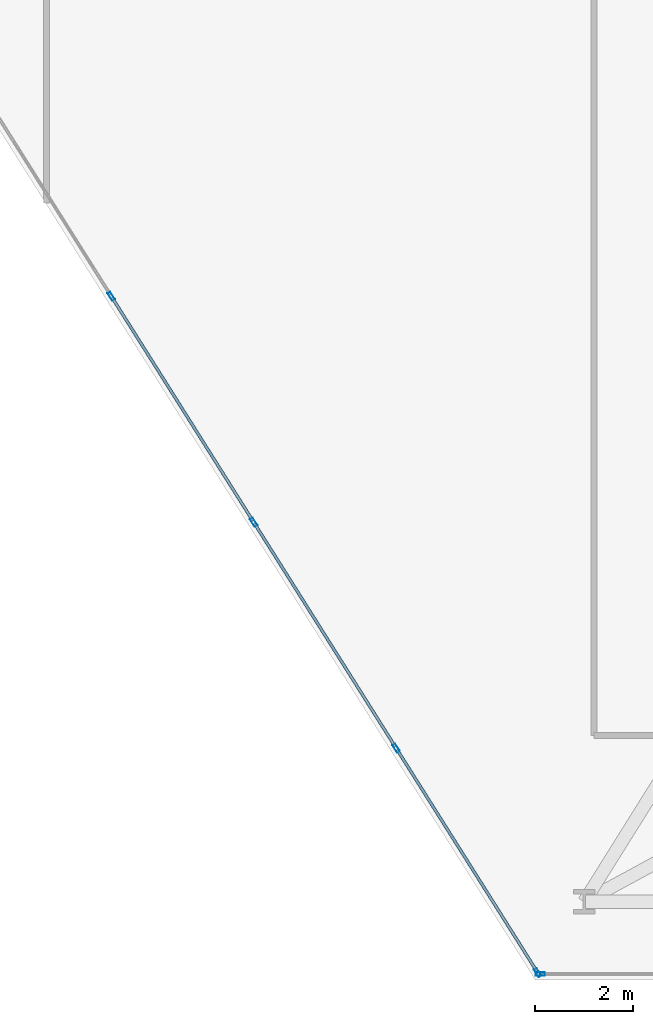
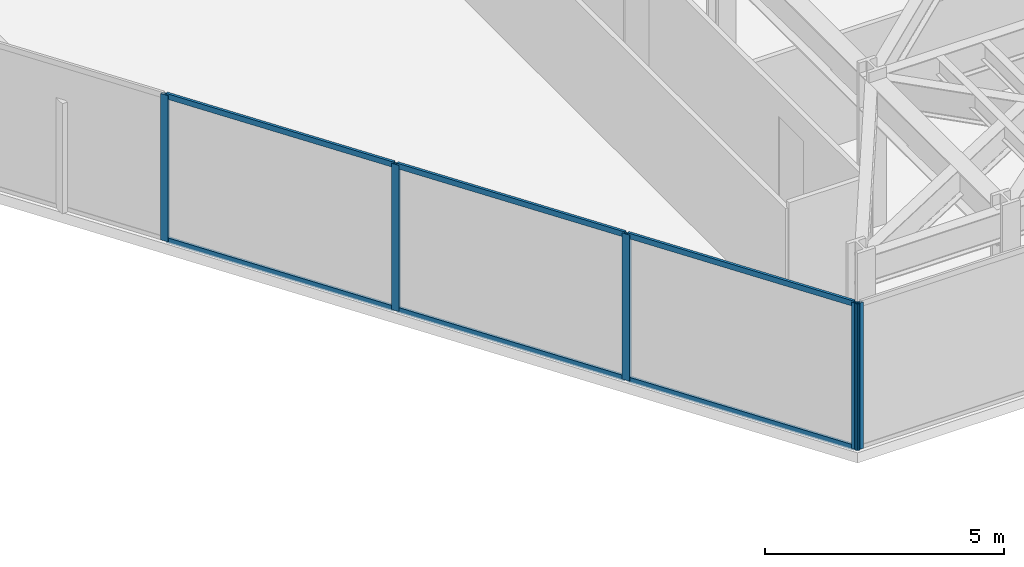
# One storey, part 12 of 24: 11 members, 2 elements without a shape of their own.
"""IFC4 building model written with IfcOpenShell, lengths in metres."""

from ifc_helpers import new_model, si_unit, direction, frame, origin, origin_2d, place, context, subcontext, project, spatial, hollow_rectangle, extrude, material, layer, layer_set, material_profile, profile_set, type_object, element, aggregate, save


model = new_model("IFC4")

# Units and contexts
model_context = context("Model", 3, precision=1e-05, world=origin(), true_north=direction((0.0, 1.0)))
body_context = subcontext(model_context, "Body", "Model", "MODEL_VIEW")
ifc_project = project(units=[si_unit("LENGTHUNIT", "METRE"), si_unit("AREAUNIT", "SQUARE_METRE"), si_unit("VOLUMEUNIT", "CUBIC_METRE"), si_unit("PLANEANGLEUNIT", "RADIAN"), si_unit("MASSUNIT", "GRAM", prefix="KILO")], contexts=[model_context])

# Site, building, storey
site_placement = place(None, origin())
site = spatial("IfcSite", under=ifc_project, at=site_placement, CompositionType="ELEMENT")
building_placement = place(site_placement, origin())
building = spatial("IfcBuilding", under=site, at=building_placement, Name="Kravanh Interchange Tower", CompositionType="ELEMENT")
storey_placement = place(building_placement, frame((0.0, 0.0, 77.5)))
storey = spatial("IfcBuildingStorey", under=building, at=storey_placement, Name="L18", CompositionType="ELEMENT", Elevation=77.5)

# Curtain wall, member
ifc_material_1 = material(Name="Anodised Bronze Aluminium", Category="aluminium")
ifc_layer = layer(ifc_material_1, 0.179931640625)
ifc_layer_set = layer_set([ifc_layer], Name="Unitised Curtain Wall System CW-Z1 Lower Office")
curtain_wall_type = type_object("IfcCurtainWallType", Name="Unitised Curtain Wall System CW-Z1 Lower Office", PredefinedType="NOTDEFINED", material=ifc_layer_set)
curtain_wall_1_placement = place(storey_placement, origin())
curtain_wall_1 = element("IfcCurtainWall", 1, at=curtain_wall_1_placement, inside=storey, type_object=curtain_wall_type, Name="L18 Unitised Curtain Wall CW-L18-03", PredefinedType="NOTDEFINED")
ifc_material_2 = material(Name="Anodised Bronze Aluminium", Category="aluminium")
ifc_material_profile_1 = material_profile(ifc_material_2, hollow_rectangle(XDim=0.070068359375, YDim=0.179931640625, WallThickness=0.00390625, at=origin_2d()), Name="ALU70X180X4")
ifc_profile_set_1 = profile_set([ifc_material_profile_1], Name="Anodised Bronze Aluminium")
member_type_1 = type_object("IfcMemberType", Name="Curtain Wall Mullion ALU70X180X4 Bronze", PredefinedType="MULLION", material=ifc_profile_set_1)
member_1_placement = place(storey_placement, frame((51.601318359375, 1.1201171875, 0.0), z_axis=(0.0, 0.0, 1.0), x_axis=(0.0, -1.0, 0.0)))
member_1 = element("IfcMember", 2, at=member_1_placement, type_object=member_type_1, Name="CW-Z1 mullion 3", PredefinedType="MULLION", context=body_context, shape_type="SweptSolid", body=[
    extrude(hollow_rectangle(XDim=0.070068359375, YDim=0.179931640625, WallThickness=0.00390625, at=origin_2d()), origin(), (0.0, 0.0, 1.0), 3.739990234375),
])
aggregate(curtain_wall_1, [member_1])

# Curtain wall, members
curtain_wall_2_placement = place(storey_placement, origin())
curtain_wall_2 = element("IfcCurtainWall", 3, at=curtain_wall_2_placement, inside=storey, type_object=curtain_wall_type, Name="L18 Unitised Curtain Wall CW-L18-04", PredefinedType="NOTDEFINED")
member_2_placement = place(storey_placement, frame((51.547607421875, 1.149658203125, 0.0), z_axis=(0.0, 0.0, 1.0), x_axis=(-0.845925530786, -0.53330103728, 0.0)))
member_2 = element("IfcMember", 4, at=member_2_placement, type_object=member_type_1, Name="CW-Z1 mullion 1", PredefinedType="MULLION", context=body_context, shape_type="SweptSolid", body=[
    extrude(hollow_rectangle(XDim=0.070068359375, YDim=0.179931640625, WallThickness=0.00390625, at=origin_2d()), origin(), (0.0, 0.0, 1.0), 3.739990234375),
])
member_3_placement = place(storey_placement, frame((48.653076171875, 5.740966796875, 0.0), z_axis=(0.0, 0.0, 1.0), x_axis=(-0.845925530786, -0.53330103728, 0.0)))
member_3 = element("IfcMember", 5, at=member_3_placement, type_object=member_type_1, Name="CW-Z1 mullion 2", PredefinedType="MULLION", context=body_context, shape_type="SweptSolid", body=[
    extrude(hollow_rectangle(XDim=0.070068359375, YDim=0.179931640625, WallThickness=0.00390625, at=origin_2d()), origin(), (0.0, 0.0, 1.0), 3.739990234375),
])
member_4_placement = place(storey_placement, frame((45.73974609375, 10.362060546875, 0.0), z_axis=(0.0, 0.0, 1.0), x_axis=(-0.845925530786, -0.53330103728, 0.0)))
member_4 = element("IfcMember", 6, at=member_4_placement, type_object=member_type_1, Name="CW-Z1 mullion 3", PredefinedType="MULLION", context=body_context, shape_type="SweptSolid", body=[
    extrude(hollow_rectangle(XDim=0.070068359375, YDim=0.179931640625, WallThickness=0.00390625, at=origin_2d()), origin(), (0.0, 0.0, 1.0), 3.739990234375),
])
member_5_placement = place(storey_placement, frame((42.826416015625, 14.98291015625, 0.0), z_axis=(0.0, 0.0, 1.0), x_axis=(-0.845925530786, -0.53330103728, 0.0)))
member_5 = element("IfcMember", 7, at=member_5_placement, type_object=member_type_1, Name="CW-Z1 mullion 4", PredefinedType="MULLION", context=body_context, shape_type="SweptSolid", body=[
    extrude(hollow_rectangle(XDim=0.070068359375, YDim=0.179931640625, WallThickness=0.00390625, at=origin_2d()), origin(), (0.0, 0.0, 1.0), 3.739990234375),
])
ifc_material_3 = material(Name="Anodised Bronze Aluminium", Category="aluminium")
ifc_material_profile_2 = material_profile(ifc_material_3, hollow_rectangle(XDim=0.06005859375, YDim=0.139892578125, WallThickness=0.00390625, at=origin_2d()), Name="ALU60X140X4")
ifc_profile_set_2 = profile_set([ifc_material_profile_2], Name="Anodised Bronze Aluminium")
member_type_2 = type_object("IfcMemberType", Name="Curtain Wall Transom ALU60X140X4 Bronze", PredefinedType="USERDEFINED", material=ifc_profile_set_2)
member_6_placement = place(storey_placement, frame((51.52880859375, 1.17919921875, 0.030029296875), z_axis=(-0.533288163518, 0.845933646719, 0.0), x_axis=(-0.845933646719, -0.533288163518, 0.0)))
member_6 = element("IfcMember", 8, at=member_6_placement, type_object=member_type_2, Name="CW-Z1 transom 1.1", ObjectType="TRANSOM", PredefinedType="USERDEFINED", context=body_context, shape_type="SweptSolid", body=[
    extrude(hollow_rectangle(XDim=0.06005859375, YDim=0.139892578125, WallThickness=0.00390625, at=origin_2d()), origin(), (0.0, 0.0, 1.0), 5.357666015625),
])
member_7_placement = place(storey_placement, frame((51.52880859375, 1.17919921875, 3.7099609375), z_axis=(-0.533288163518, 0.845933646719, 0.0), x_axis=(-0.845933646719, -0.533288163518, 0.0)))
member_7 = element("IfcMember", 9, at=member_7_placement, type_object=member_type_2, Name="CW-Z1 transom 1.2", ObjectType="TRANSOM", PredefinedType="USERDEFINED", context=body_context, shape_type="SweptSolid", body=[
    extrude(hollow_rectangle(XDim=0.06005859375, YDim=0.139892578125, WallThickness=0.00390625, at=origin_2d()), origin(), (0.0, 0.0, 1.0), 5.357666015625),
])
member_8_placement = place(storey_placement, frame((48.63427734375, 5.7705078125, 0.030029296875), z_axis=(-0.533311487456, 0.84591894254, 0.0), x_axis=(-0.84591894254, -0.533311487456, 0.0)))
member_8 = element("IfcMember", 10, at=member_8_placement, type_object=member_type_2, Name="CW-Z1 transom 2.1", ObjectType="TRANSOM", PredefinedType="USERDEFINED", context=body_context, shape_type="SweptSolid", body=[
    extrude(hollow_rectangle(XDim=0.06005859375, YDim=0.139892578125, WallThickness=0.00390625, at=origin_2d()), origin(), (0.0, 0.0, 1.0), 5.392578125),
])
member_9_placement = place(storey_placement, frame((48.63427734375, 5.7705078125, 3.7099609375), z_axis=(-0.533311487456, 0.84591894254, 0.0), x_axis=(-0.84591894254, -0.533311487456, 0.0)))
member_9 = element("IfcMember", 11, at=member_9_placement, type_object=member_type_2, Name="CW-Z1 transom 2.2", ObjectType="TRANSOM", PredefinedType="USERDEFINED", context=body_context, shape_type="SweptSolid", body=[
    extrude(hollow_rectangle(XDim=0.06005859375, YDim=0.139892578125, WallThickness=0.00390625, at=origin_2d()), origin(), (0.0, 0.0, 1.0), 5.392578125),
])
member_10_placement = place(storey_placement, frame((45.720947265625, 10.3916015625, 0.030029296875), z_axis=(-0.533279090152, 0.845939366626, 0.0), x_axis=(-0.845939366626, -0.533279090152, 0.0)))
member_10 = element("IfcMember", 12, at=member_10_placement, type_object=member_type_2, Name="CW-Z1 transom 3.1", ObjectType="TRANSOM", PredefinedType="USERDEFINED", context=body_context, shape_type="SweptSolid", body=[
    extrude(hollow_rectangle(XDim=0.06005859375, YDim=0.139892578125, WallThickness=0.00390625, at=origin_2d()), origin(), (0.0, 0.0, 1.0), 5.392578125),
])
member_11_placement = place(storey_placement, frame((45.720947265625, 10.3916015625, 3.7099609375), z_axis=(-0.533279090152, 0.845939366626, 0.0), x_axis=(-0.845939366626, -0.533279090152, 0.0)))
member_11 = element("IfcMember", 13, at=member_11_placement, type_object=member_type_2, Name="CW-Z1 transom 3.2", ObjectType="TRANSOM", PredefinedType="USERDEFINED", context=body_context, shape_type="SweptSolid", body=[
    extrude(hollow_rectangle(XDim=0.06005859375, YDim=0.139892578125, WallThickness=0.00390625, at=origin_2d()), origin(), (0.0, 0.0, 1.0), 5.392578125),
])
aggregate(curtain_wall_2, [member_2, member_3, member_4, member_5, member_6, member_7, member_8, member_9, member_10, member_11])

save(model, "model.ifc")
